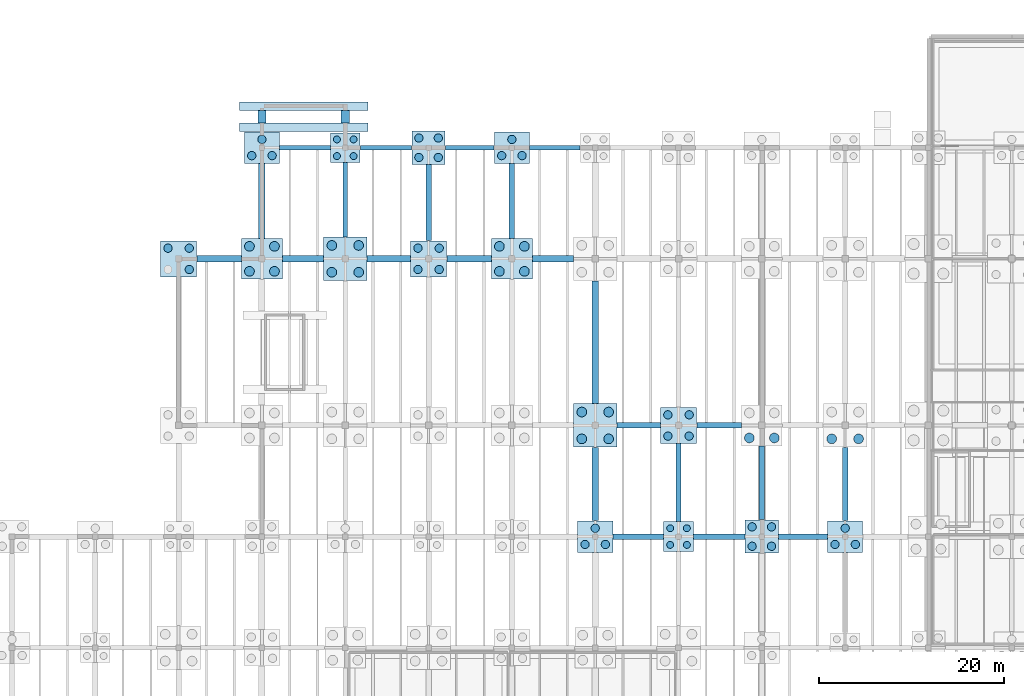
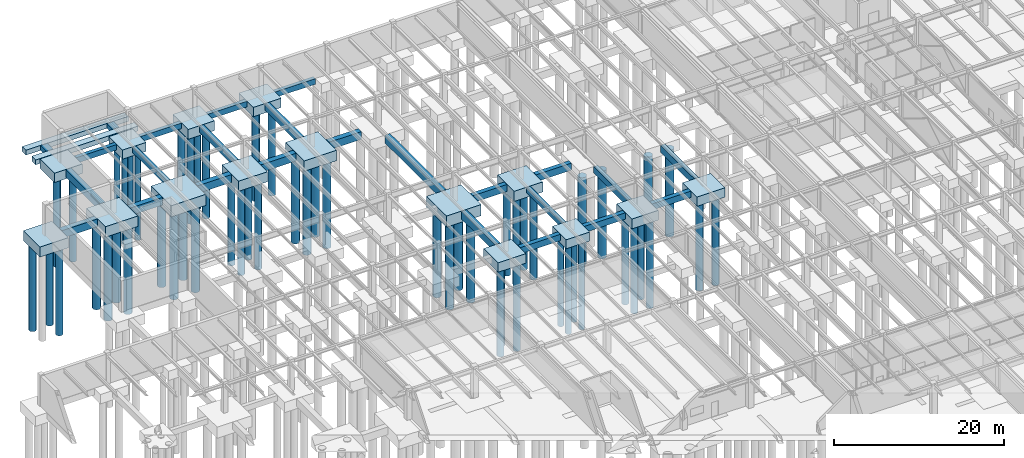
# One storey, part 7 of 40: 59 piles, 42 footings.
"""IFC4 building model written with IfcOpenShell, lengths in metres."""

from ifc_helpers import new_model, si_unit, direction, frame, origin, origin_2d, place, context, subcontext, project, spatial, polyline, rectangle, circle, outline, extrude, material, material_profile, profile_set, type_object, element, save


model = new_model("IFC4")

# Units and contexts
model_context = context("Model", 3, precision=1e-05, world=origin(), true_north=direction((0.0, 1.0)))
body_context = subcontext(model_context, "Body", "Model", "MODEL_VIEW")
ifc_project = project(units=[si_unit("LENGTHUNIT", "METRE"), si_unit("AREAUNIT", "SQUARE_METRE"), si_unit("VOLUMEUNIT", "CUBIC_METRE"), si_unit("PLANEANGLEUNIT", "RADIAN"), si_unit("MASSUNIT", "GRAM", prefix="KILO")], contexts=[model_context])

# Site, building, storey
site_placement = place(None, origin())
site = spatial("IfcSite", under=ifc_project, at=site_placement, CompositionType="ELEMENT")
building_placement = place(site_placement, origin())
building = spatial("IfcBuilding", under=site, at=building_placement, Name="Montelvaro Courts of Justice", CompositionType="ELEMENT")
storey_placement = place(building_placement, frame((0.0, 0.0, -4.5)))
storey = spatial("IfcBuildingStorey", under=building, at=storey_placement, Name="B01", CompositionType="ELEMENT", Elevation=-4.5)

# Piles
ifc_material = material(Name="Concrete C35/45", Category="concrete")
ifc_material_profile_1 = material_profile(ifc_material, circle(Radius=0.52490234375, at=origin_2d()), Name="BORED PILE D1050")
ifc_profile_set_1 = profile_set([ifc_material_profile_1], Name="Concrete C35/45")
pile_type_1 = type_object("IfcPileType", Name="BoredPile_1050", PredefinedType="BORED", material=ifc_profile_set_1)
for number, where, z_axis, x_axis, name in (
    (1, (25.64990234375, 94.64990234375, -1.39990234375), (0.0, 0.0, -1.0), (1.0, 0.0, 0.0), "Bored Pile BP-03 4/H-1"),
    (2, (28.35009765625, 94.64990234375, -1.39990234375), (0.0, 0.0, -1.0), (1.0, 0.0, 0.0), "Bored Pile BP-03 4/H-2"),
    (3, (25.64990234375, 97.35009765625, -1.39990234375), (0.0, 0.0, -1.0), (1.0, 0.0, 0.0), "Bored Pile BP-03 4/H-3"),
    (4, (28.35009765625, 97.35009765625, -1.39990234375), (0.0, 0.0, -1.0), (1.0, 0.0, 0.0), "Bored Pile BP-03 4/H-4"),
):
    element("IfcPile", number, at=place(storey_placement, frame(where, z_axis=z_axis, x_axis=x_axis)), inside=storey, type_object=pile_type_1, Name=name, PredefinedType="BORED", context=body_context, shape_type="SweptSolid", body=[
        extrude(circle(Radius=0.52490234375, at=origin_2d()), origin(), (0.0, 0.0, 1.0), 12.60009765625),
    ])
for number, where, z_axis, x_axis, name in (
    (5, (34.550048828125, 94.550048828125, -1.5), (0.0, 0.0, -1.0), (1.0, 0.0, 0.0), "Bored Pile BP-03 5/H-1"),
    (6, (37.449951171875, 94.550048828125, -1.5), (0.0, 0.0, -1.0), (1.0, 0.0, 0.0), "Bored Pile BP-03 5/H-2"),
    (7, (34.550048828125, 97.449951171875, -1.5), (0.0, 0.0, -1.0), (1.0, 0.0, 0.0), "Bored Pile BP-03 5/H-3"),
    (8, (37.449951171875, 97.449951171875, -1.5), (0.0, 0.0, -1.0), (1.0, 0.0, 0.0), "Bored Pile BP-03 5/H-4"),
):
    element("IfcPile", number, at=place(storey_placement, frame(where, z_axis=z_axis, x_axis=x_axis)), inside=storey, type_object=pile_type_1, Name=name, PredefinedType="BORED", context=body_context, shape_type="SweptSolid", body=[
        extrude(circle(Radius=0.52490234375, at=origin_2d()), origin(), (0.0, 0.0, 1.0), 12.5),
    ])
for number, where, z_axis, x_axis, name in (
    (9, (52.64990234375, 94.64990234375, -1.39990234375), (0.0, 0.0, -1.0), (1.0, 0.0, 0.0), "Bored Pile BP-03 7/H-1"),
    (10, (55.35009765625, 94.64990234375, -1.39990234375), (0.0, 0.0, -1.0), (1.0, 0.0, 0.0), "Bored Pile BP-03 7/H-2"),
    (11, (52.64990234375, 97.35009765625, -1.39990234375), (0.0, 0.0, -1.0), (1.0, 0.0, 0.0), "Bored Pile BP-03 7/H-3"),
    (12, (55.35009765625, 97.35009765625, -1.39990234375), (0.0, 0.0, -1.0), (1.0, 0.0, 0.0), "Bored Pile BP-03 7/H-4"),
):
    element("IfcPile", number, at=place(storey_placement, frame(where, z_axis=z_axis, x_axis=x_axis)), inside=storey, type_object=pile_type_1, Name=name, PredefinedType="BORED", context=body_context, shape_type="SweptSolid", body=[
        extrude(circle(Radius=0.52490234375, at=origin_2d()), origin(), (0.0, 0.0, 1.0), 12.60009765625),
    ])
for number, where, z_axis, x_axis, name in (
    (13, (61.550048828125, 76.550048828125, -1.5), (0.0, 0.0, -1.0), (1.0, 0.0, 0.0), "Bored Pile BP-03 8/G-1"),
    (14, (64.449951171875, 76.550048828125, -1.5), (0.0, 0.0, -1.0), (1.0, 0.0, 0.0), "Bored Pile BP-03 8/G-2"),
    (15, (61.550048828125, 79.449951171875, -1.5), (0.0, 0.0, -1.0), (1.0, 0.0, 0.0), "Bored Pile BP-03 8/G-3"),
    (16, (64.449951171875, 79.449951171875, -1.5), (0.0, 0.0, -1.0), (1.0, 0.0, 0.0), "Bored Pile BP-03 8/G-4"),
):
    element("IfcPile", number, at=place(storey_placement, frame(where, z_axis=z_axis, x_axis=x_axis)), inside=storey, type_object=pile_type_1, Name=name, PredefinedType="BORED", context=body_context, shape_type="SweptSolid", body=[
        extrude(circle(Radius=0.52490234375, at=origin_2d()), origin(), (0.0, 0.0, 1.0), 12.5),
    ])
for number, where, z_axis, x_axis, name in (
    (17, (79.64990234375, 76.64990234375, -1.39990234375), (0.0, 0.0, -1.0), (1.0, 0.0, 0.0), "Bored Pile BP-03 10/G-1"),
    (18, (82.35009765625, 76.64990234375, -1.39990234375), (0.0, 0.0, -1.0), (1.0, 0.0, 0.0), "Bored Pile BP-03 10/G-2"),
):
    element("IfcPile", number, at=place(storey_placement, frame(where, z_axis=z_axis, x_axis=x_axis)), inside=storey, type_object=pile_type_1, Name=name, PredefinedType="BORED", context=body_context, shape_type="SweptSolid", body=[
        extrude(circle(Radius=0.52490234375, at=origin_2d()), origin(), (0.0, 0.0, 1.0), 12.60009765625),
    ])
for number, where, z_axis, x_axis, name in (
    (19, (88.550048828125, 76.550048828125, -1.5), (0.0, 0.0, -1.0), (1.0, 0.0, 0.0), "Bored Pile BP-03 11/G-1"),
    (20, (91.449951171875, 76.550048828125, -1.5), (0.0, 0.0, -1.0), (1.0, 0.0, 0.0), "Bored Pile BP-03 11/G-2"),
):
    element("IfcPile", number, at=place(storey_placement, frame(where, z_axis=z_axis, x_axis=x_axis)), inside=storey, type_object=pile_type_1, Name=name, PredefinedType="BORED", context=body_context, shape_type="SweptSolid", body=[
        extrude(circle(Radius=0.52490234375, at=origin_2d()), origin(), (0.0, 0.0, 1.0), 12.5),
    ])
ifc_material_profile_2 = material_profile(ifc_material, circle(Radius=0.375, at=origin_2d()), Name="BORED PILE D750")
ifc_profile_set_2 = profile_set([ifc_material_profile_2], Name="Concrete C35/45")
pile_type_2 = type_object("IfcPileType", Name="BoredPile_750", PredefinedType="BORED", material=ifc_profile_set_2)
for number, where, z_axis, x_axis, name in (
    (21, (35.10009765625, 107.10009765625, -1.199951171875), (0.0, 0.0, -1.0), (1.0, 0.0, 0.0), "Bored Pile BP-01 5/I-1"),
    (22, (36.89990234375, 107.10009765625, -1.199951171875), (0.0, 0.0, -1.0), (1.0, 0.0, 0.0), "Bored Pile BP-01 5/I-2"),
    (23, (35.10009765625, 108.89990234375, -1.199951171875), (0.0, 0.0, -1.0), (1.0, 0.0, 0.0), "Bored Pile BP-01 5/I-3"),
    (24, (36.89990234375, 108.89990234375, -1.199951171875), (0.0, 0.0, -1.0), (1.0, 0.0, 0.0), "Bored Pile BP-01 5/I-4"),
    (25, (71.10009765625, 65.10009765625, -1.199951171875), (0.0, 0.0, -1.0), (1.0, 0.0, 0.0), "Bored Pile BP-01 9/F-1"),
    (26, (72.89990234375, 65.10009765625, -1.199951171875), (0.0, 0.0, -1.0), (1.0, 0.0, 0.0), "Bored Pile BP-01 9/F-2"),
    (27, (71.10009765625, 66.89990234375, -1.199951171875), (0.0, 0.0, -1.0), (1.0, 0.0, 0.0), "Bored Pile BP-01 9/F-3"),
    (28, (72.89990234375, 66.89990234375, -1.199951171875), (0.0, 0.0, -1.0), (1.0, 0.0, 0.0), "Bored Pile BP-01 9/F-4"),
):
    element("IfcPile", number, at=place(storey_placement, frame(where, z_axis=z_axis, x_axis=x_axis)), inside=storey, type_object=pile_type_2, Name=name, PredefinedType="BORED", context=body_context, shape_type="SweptSolid", body=[
        extrude(circle(Radius=0.375, at=origin_2d()), origin(), (0.0, 0.0, 1.0), 12.800048828125),
    ])
ifc_material_profile_3 = material_profile(ifc_material, circle(Radius=0.449951171875, at=origin_2d()), Name="BORED PILE D900")
ifc_profile_set_3 = profile_set([ifc_material_profile_3], Name="Concrete C35/45")
pile_type_3 = type_object("IfcPileType", Name="BoredPile_900", PredefinedType="BORED", material=ifc_profile_set_3)
for number, where, z_axis, x_axis, name in (
    (29, (19.14990234375, 94.85009765625, -1.35009765625), (0.0, 0.0, -1.0), (1.0, 0.0, 0.0), "Bored Pile BP-02 3/H-2"),
    (30, (16.85009765625, 97.14990234375, -1.35009765625), (0.0, 0.0, -1.0), (1.0, 0.0, 0.0), "Bored Pile BP-02 3/H-3"),
    (31, (19.14990234375, 97.14990234375, -1.35009765625), (0.0, 0.0, -1.0), (1.0, 0.0, 0.0), "Bored Pile BP-02 3/H-4"),
):
    element("IfcPile", number, at=place(storey_placement, frame(where, z_axis=z_axis, x_axis=x_axis)), inside=storey, type_object=pile_type_3, Name=name, PredefinedType="BORED", context=body_context, shape_type="SweptSolid", body=[
        extrude(circle(Radius=0.449951171875, at=origin_2d()), origin(), (0.0, 0.0, 1.0), 12.64990234375),
    ])
for number, where, z_axis, x_axis, name in (
    (32, (25.89990234375, 107.14990234375, -1.25), (0.0, 0.0, -1.0), (1.0, 0.0, 0.0), "Bored Pile BP-02 4/I-1"),
    (33, (28.10009765625, 107.14990234375, -1.25), (0.0, 0.0, -1.0), (1.0, 0.0, 0.0), "Bored Pile BP-02 4/I-2"),
    (34, (27.0, 108.89990234375, -1.25), (0.0, 0.0, -1.0), (1.0, 0.0, 0.0), "Bored Pile BP-02 4/I-3"),
):
    element("IfcPile", number, at=place(storey_placement, frame(where, z_axis=z_axis, x_axis=x_axis)), inside=storey, type_object=pile_type_3, Name=name, PredefinedType="BORED", context=body_context, shape_type="SweptSolid", body=[
        extrude(circle(Radius=0.449951171875, at=origin_2d()), origin(), (0.0, 0.0, 1.0), 12.75),
    ])
for number, where, z_axis, x_axis, name in (
    (35, (43.85009765625, 94.85009765625, -1.35009765625), (0.0, 0.0, -1.0), (1.0, 0.0, 0.0), "Bored Pile BP-02 6/H-1"),
    (36, (46.14990234375, 94.85009765625, -1.35009765625), (0.0, 0.0, -1.0), (1.0, 0.0, 0.0), "Bored Pile BP-02 6/H-2"),
    (37, (43.85009765625, 97.14990234375, -1.35009765625), (0.0, 0.0, -1.0), (1.0, 0.0, 0.0), "Bored Pile BP-02 6/H-3"),
    (38, (46.14990234375, 97.14990234375, -1.35009765625), (0.0, 0.0, -1.0), (1.0, 0.0, 0.0), "Bored Pile BP-02 6/H-4"),
):
    element("IfcPile", number, at=place(storey_placement, frame(where, z_axis=z_axis, x_axis=x_axis)), inside=storey, type_object=pile_type_3, Name=name, PredefinedType="BORED", context=body_context, shape_type="SweptSolid", body=[
        extrude(circle(Radius=0.449951171875, at=origin_2d()), origin(), (0.0, 0.0, 1.0), 12.64990234375),
    ])
for number, where, z_axis, x_axis, name in (
    (39, (43.949951171875, 106.949951171875, -1.300048828125), (0.0, 0.0, -1.0), (1.0, 0.0, 0.0), "Bored Pile BP-02 6/I-1"),
    (40, (46.050048828125, 106.949951171875, -1.300048828125), (0.0, 0.0, -1.0), (1.0, 0.0, 0.0), "Bored Pile BP-02 6/I-2"),
    (41, (43.949951171875, 109.050048828125, -1.300048828125), (0.0, 0.0, -1.0), (1.0, 0.0, 0.0), "Bored Pile BP-02 6/I-3"),
    (42, (46.050048828125, 109.050048828125, -1.300048828125), (0.0, 0.0, -1.0), (1.0, 0.0, 0.0), "Bored Pile BP-02 6/I-4"),
):
    element("IfcPile", number, at=place(storey_placement, frame(where, z_axis=z_axis, x_axis=x_axis)), inside=storey, type_object=pile_type_3, Name=name, PredefinedType="BORED", context=body_context, shape_type="SweptSolid", body=[
        extrude(circle(Radius=0.449951171875, at=origin_2d()), origin(), (0.0, 0.0, 1.0), 12.699951171875),
    ])
for number, where, z_axis, x_axis, name in (
    (43, (52.89990234375, 107.14990234375, -1.25), (0.0, 0.0, -1.0), (1.0, 0.0, 0.0), "Bored Pile BP-02 7/I-1"),
    (44, (55.10009765625, 107.14990234375, -1.25), (0.0, 0.0, -1.0), (1.0, 0.0, 0.0), "Bored Pile BP-02 7/I-2"),
    (45, (54.0, 108.89990234375, -1.25), (0.0, 0.0, -1.0), (1.0, 0.0, 0.0), "Bored Pile BP-02 7/I-3"),
    (46, (61.89990234375, 65.14990234375, -1.25), (0.0, 0.0, -1.0), (1.0, 0.0, 0.0), "Bored Pile BP-02 8/F-1"),
    (47, (64.10009765625, 65.14990234375, -1.25), (0.0, 0.0, -1.0), (1.0, 0.0, 0.0), "Bored Pile BP-02 8/F-2"),
    (48, (63.0, 66.89990234375, -1.25), (0.0, 0.0, -1.0), (1.0, 0.0, 0.0), "Bored Pile BP-02 8/F-3"),
):
    element("IfcPile", number, at=place(storey_placement, frame(where, z_axis=z_axis, x_axis=x_axis)), inside=storey, type_object=pile_type_3, Name=name, PredefinedType="BORED", context=body_context, shape_type="SweptSolid", body=[
        extrude(circle(Radius=0.449951171875, at=origin_2d()), origin(), (0.0, 0.0, 1.0), 12.75),
    ])
for number, where, z_axis, x_axis, name in (
    (49, (70.85009765625, 76.85009765625, -1.35009765625), (0.0, 0.0, -1.0), (1.0, 0.0, 0.0), "Bored Pile BP-02 9/G-1"),
    (50, (73.14990234375, 76.85009765625, -1.35009765625), (0.0, 0.0, -1.0), (1.0, 0.0, 0.0), "Bored Pile BP-02 9/G-2"),
    (51, (70.85009765625, 79.14990234375, -1.35009765625), (0.0, 0.0, -1.0), (1.0, 0.0, 0.0), "Bored Pile BP-02 9/G-3"),
    (52, (73.14990234375, 79.14990234375, -1.35009765625), (0.0, 0.0, -1.0), (1.0, 0.0, 0.0), "Bored Pile BP-02 9/G-4"),
):
    element("IfcPile", number, at=place(storey_placement, frame(where, z_axis=z_axis, x_axis=x_axis)), inside=storey, type_object=pile_type_3, Name=name, PredefinedType="BORED", context=body_context, shape_type="SweptSolid", body=[
        extrude(circle(Radius=0.449951171875, at=origin_2d()), origin(), (0.0, 0.0, 1.0), 12.64990234375),
    ])
for number, where, z_axis, x_axis, name in (
    (53, (79.949951171875, 64.949951171875, -1.300048828125), (0.0, 0.0, -1.0), (1.0, 0.0, 0.0), "Bored Pile BP-02 10/F-1"),
    (54, (82.050048828125, 64.949951171875, -1.300048828125), (0.0, 0.0, -1.0), (1.0, 0.0, 0.0), "Bored Pile BP-02 10/F-2"),
    (55, (79.949951171875, 67.050048828125, -1.300048828125), (0.0, 0.0, -1.0), (1.0, 0.0, 0.0), "Bored Pile BP-02 10/F-3"),
    (56, (82.050048828125, 67.050048828125, -1.300048828125), (0.0, 0.0, -1.0), (1.0, 0.0, 0.0), "Bored Pile BP-02 10/F-4"),
):
    element("IfcPile", number, at=place(storey_placement, frame(where, z_axis=z_axis, x_axis=x_axis)), inside=storey, type_object=pile_type_3, Name=name, PredefinedType="BORED", context=body_context, shape_type="SweptSolid", body=[
        extrude(circle(Radius=0.449951171875, at=origin_2d()), origin(), (0.0, 0.0, 1.0), 12.699951171875),
    ])
for number, where, z_axis, x_axis, name in (
    (57, (88.89990234375, 65.14990234375, -1.25), (0.0, 0.0, -1.0), (1.0, 0.0, 0.0), "Bored Pile BP-02 11/F-1"),
    (58, (91.10009765625, 65.14990234375, -1.25), (0.0, 0.0, -1.0), (1.0, 0.0, 0.0), "Bored Pile BP-02 11/F-2"),
    (59, (90.0, 66.89990234375, -1.25), (0.0, 0.0, -1.0), (1.0, 0.0, 0.0), "Bored Pile BP-02 11/F-3"),
):
    element("IfcPile", number, at=place(storey_placement, frame(where, z_axis=z_axis, x_axis=x_axis)), inside=storey, type_object=pile_type_3, Name=name, PredefinedType="BORED", context=body_context, shape_type="SweptSolid", body=[
        extrude(circle(Radius=0.449951171875, at=origin_2d()), origin(), (0.0, 0.0, 1.0), 12.75),
    ])

# Footings
footing_type_1 = type_object("IfcFootingType", Name="GroundBeam_500x800", PredefinedType="FOOTING_BEAM", material=ifc_material)
footing_1_placement = place(storey_placement, frame((0.0, 0.0, -0.800048828125)))
element("IfcFooting", 60, at=footing_1_placement, inside=storey, type_object=footing_type_1, Name="Foundation Ground Beam GB-01", PredefinedType="FOOTING_BEAM", context=body_context, shape_type="SweptSolid", body=[
    extrude(outline(polyline([(28.919921875, 107.75), (34.3798828125, 107.75), (34.3798828125, 108.25), (28.919921875, 108.25), (28.919921875, 107.75)])), origin(), (0.0, 0.0, 1.0), 0.800048828125),
])
footing_2_placement = place(storey_placement, frame((0.0, 0.0, -0.800048828125)))
element("IfcFooting", 61, at=footing_2_placement, inside=storey, type_object=footing_type_1, Name="Foundation Ground Beam GB-01", PredefinedType="FOOTING_BEAM", context=body_context, shape_type="SweptSolid", body=[
    extrude(outline(polyline([(37.6201171875, 107.75), (43.179931640625, 107.75), (43.179931640625, 108.25), (37.6201171875, 108.25), (37.6201171875, 107.75)])), origin(), (0.0, 0.0, 1.0), 0.800048828125),
])
footing_3_placement = place(storey_placement, frame((0.0, 0.0, -0.800048828125)))
element("IfcFooting", 62, at=footing_3_placement, inside=storey, type_object=footing_type_1, Name="Foundation Ground Beam GB-01", PredefinedType="FOOTING_BEAM", context=body_context, shape_type="SweptSolid", body=[
    extrude(outline(polyline([(46.820068359375, 107.75), (52.080078125, 107.75), (52.080078125, 108.25), (46.820068359375, 108.25), (46.820068359375, 107.75)])), origin(), (0.0, 0.0, 1.0), 0.800048828125),
])
footing_4_placement = place(storey_placement, frame((0.0, 0.0, -0.800048828125)))
element("IfcFooting", 63, at=footing_4_placement, inside=storey, type_object=footing_type_1, Name="Foundation Ground Beam GB-01", PredefinedType="FOOTING_BEAM", context=body_context, shape_type="SweptSolid", body=[
    extrude(outline(polyline([(55.919921875, 107.75), (61.3798828125, 107.75), (61.3798828125, 108.25), (55.919921875, 108.25), (55.919921875, 107.75)])), origin(), (0.0, 0.0, 1.0), 0.800048828125),
])
footing_5_placement = place(storey_placement, frame((0.0, 0.0, -0.800048828125)))
element("IfcFooting", 64, at=footing_5_placement, inside=storey, type_object=footing_type_1, Name="Foundation Ground Beam GB-01", PredefinedType="FOOTING_BEAM", context=body_context, shape_type="SweptSolid", body=[
    extrude(outline(polyline([(35.75, 98.3701171875), (36.25, 98.3701171875), (36.25, 106.3798828125), (35.75, 106.3798828125), (35.75, 98.3701171875)])), origin(), (0.0, 0.0, 1.0), 0.800048828125),
])
footing_6_placement = place(storey_placement, frame((0.0, 0.0, -0.800048828125)))
element("IfcFooting", 65, at=footing_6_placement, inside=storey, type_object=footing_type_1, Name="Foundation Ground Beam GB-01", PredefinedType="FOOTING_BEAM", context=body_context, shape_type="SweptSolid", body=[
    extrude(outline(polyline([(71.75, 67.6201171875), (72.25, 67.6201171875), (72.25, 76.030029296875), (71.75, 76.030029296875), (71.75, 67.6201171875)])), origin(), (0.0, 0.0, 1.0), 0.800048828125),
])
footing_type_2 = type_object("IfcFootingType", Name="GroundBeam_600x1000", PredefinedType="FOOTING_BEAM", material=ifc_material)
footing_7_placement = place(storey_placement, frame((0.0, 0.0, -1.0)))
element("IfcFooting", 66, at=footing_7_placement, inside=storey, type_object=footing_type_2, Name="Foundation Ground Beam GB-03", PredefinedType="FOOTING_BEAM", context=body_context, shape_type="SweptSolid", body=[
    extrude(outline(polyline([(65.3701171875, 77.699951171875), (70.030029296875, 77.699951171875), (70.030029296875, 78.300048828125), (65.3701171875, 78.300048828125), (65.3701171875, 77.699951171875)])), origin(), (0.0, 0.0, 1.0), 1.0),
])
footing_8_placement = place(storey_placement, frame((0.0, 0.0, -1.0)))
element("IfcFooting", 67, at=footing_8_placement, inside=storey, type_object=footing_type_2, Name="Foundation Ground Beam GB-03", PredefinedType="FOOTING_BEAM", context=body_context, shape_type="SweptSolid", body=[
    extrude(outline(polyline([(73.969970703125, 77.699951171875), (78.780029296875, 77.699951171875), (78.780029296875, 78.300048828125), (73.969970703125, 78.300048828125), (73.969970703125, 77.699951171875)])), origin(), (0.0, 0.0, 1.0), 1.0),
])
footing_9_placement = place(storey_placement, frame((0.0, 0.0, -1.0)))
element("IfcFooting", 68, at=footing_9_placement, inside=storey, type_object=footing_type_2, Name="Foundation Ground Beam GB-03", PredefinedType="FOOTING_BEAM", context=body_context, shape_type="SweptSolid", body=[
    extrude(outline(polyline([(53.699951171875, 98.219970703125), (54.300048828125, 98.219970703125), (54.300048828125, 106.280029296875), (53.699951171875, 106.280029296875), (53.699951171875, 98.219970703125)])), origin(), (0.0, 0.0, 1.0), 1.0),
])
footing_10_placement = place(storey_placement, frame((0.0, 0.0, -1.0)))
element("IfcFooting", 69, at=footing_10_placement, inside=storey, type_object=footing_type_2, Name="Foundation Ground Beam GB-03", PredefinedType="FOOTING_BEAM", context=body_context, shape_type="SweptSolid", body=[
    extrude(outline(polyline([(89.699951171875, 67.719970703125), (90.300048828125, 67.719970703125), (90.300048828125, 75.6298828125), (89.699951171875, 75.6298828125), (89.699951171875, 67.719970703125)])), origin(), (0.0, 0.0, 1.0), 1.0),
])
footing_type_3 = type_object("IfcFootingType", Name="GroundBeam_600x900", PredefinedType="FOOTING_BEAM", material=ifc_material)
footing_11_placement = place(storey_placement, frame((0.0, 0.0, -0.89990234375)))
element("IfcFooting", 70, at=footing_11_placement, inside=storey, type_object=footing_type_3, Name="Foundation Ground Beam GB-02", PredefinedType="FOOTING_BEAM", context=body_context, shape_type="SweptSolid", body=[
    extrude(outline(polyline([(64.919921875, 65.699951171875), (70.3798828125, 65.699951171875), (70.3798828125, 66.300048828125), (64.919921875, 66.300048828125), (64.919921875, 65.699951171875)])), origin(), (0.0, 0.0, 1.0), 0.89990234375),
])
footing_12_placement = place(storey_placement, frame((0.0, 0.0, -0.89990234375)))
element("IfcFooting", 71, at=footing_12_placement, inside=storey, type_object=footing_type_3, Name="Foundation Ground Beam GB-02", PredefinedType="FOOTING_BEAM", context=body_context, shape_type="SweptSolid", body=[
    extrude(outline(polyline([(73.6201171875, 65.699951171875), (79.179931640625, 65.699951171875), (79.179931640625, 66.300048828125), (73.6201171875, 66.300048828125), (73.6201171875, 65.699951171875)])), origin(), (0.0, 0.0, 1.0), 0.89990234375),
])
footing_13_placement = place(storey_placement, frame((0.0, 0.0, -0.89990234375)))
element("IfcFooting", 72, at=footing_13_placement, inside=storey, type_object=footing_type_3, Name="Foundation Ground Beam GB-02", PredefinedType="FOOTING_BEAM", context=body_context, shape_type="SweptSolid", body=[
    extrude(outline(polyline([(82.820068359375, 65.699951171875), (88.080078125, 65.699951171875), (88.080078125, 66.300048828125), (82.820068359375, 66.300048828125), (82.820068359375, 65.699951171875)])), origin(), (0.0, 0.0, 1.0), 0.89990234375),
])
footing_14_placement = place(storey_placement, frame((0.0, 0.0, -0.89990234375)))
element("IfcFooting", 73, at=footing_14_placement, inside=storey, type_object=footing_type_3, Name="Foundation Ground Beam GB-02", PredefinedType="FOOTING_BEAM", context=body_context, shape_type="SweptSolid", body=[
    extrude(outline(polyline([(44.699951171875, 97.969970703125), (45.300048828125, 97.969970703125), (45.300048828125, 106.179931640625), (44.699951171875, 106.179931640625), (44.699951171875, 97.969970703125)])), origin(), (0.0, 0.0, 1.0), 0.89990234375),
])
footing_15_placement = place(storey_placement, frame((0.0, 0.0, -0.89990234375)))
element("IfcFooting", 74, at=footing_15_placement, inside=storey, type_object=footing_type_3, Name="Foundation Ground Beam GB-02", PredefinedType="FOOTING_BEAM", context=body_context, shape_type="SweptSolid", body=[
    extrude(outline(polyline([(80.699951171875, 67.820068359375), (81.300048828125, 67.820068359375), (81.300048828125, 75.780029296875), (80.699951171875, 75.780029296875), (80.699951171875, 67.820068359375)])), origin(), (0.0, 0.0, 1.0), 0.89990234375),
])
footing_type_4 = type_object("IfcFootingType", Name="GroundBeam_700x1100", PredefinedType="FOOTING_BEAM", material=ifc_material)
footing_16_placement = place(storey_placement, frame((0.0, 0.0, -1.10009765625)))
element("IfcFooting", 75, at=footing_16_placement, inside=storey, type_object=footing_type_4, Name="Foundation Ground Beam GB-04", PredefinedType="FOOTING_BEAM", context=body_context, shape_type="SweptSolid", body=[
    extrude(outline(polyline([(19.969970703125, 95.64990234375), (24.780029296875, 95.64990234375), (24.780029296875, 96.35009765625), (19.969970703125, 96.35009765625), (19.969970703125, 95.64990234375)])), origin(), (0.0, 0.0, 1.0), 1.10009765625),
])
footing_17_placement = place(storey_placement, frame((0.0, 0.0, -1.10009765625)))
element("IfcFooting", 76, at=footing_17_placement, inside=storey, type_object=footing_type_4, Name="Foundation Ground Beam GB-04", PredefinedType="FOOTING_BEAM", context=body_context, shape_type="SweptSolid", body=[
    extrude(outline(polyline([(29.219970703125, 95.64990234375), (33.6298828125, 95.64990234375), (33.6298828125, 96.35009765625), (29.219970703125, 96.35009765625), (29.219970703125, 95.64990234375)])), origin(), (0.0, 0.0, 1.0), 1.10009765625),
])
footing_18_placement = place(storey_placement, frame((0.0, 0.0, -1.10009765625)))
element("IfcFooting", 77, at=footing_18_placement, inside=storey, type_object=footing_type_4, Name="Foundation Ground Beam GB-04", PredefinedType="FOOTING_BEAM", context=body_context, shape_type="SweptSolid", body=[
    extrude(outline(polyline([(38.3701171875, 95.64990234375), (43.030029296875, 95.64990234375), (43.030029296875, 96.35009765625), (38.3701171875, 96.35009765625), (38.3701171875, 95.64990234375)])), origin(), (0.0, 0.0, 1.0), 1.10009765625),
])
footing_19_placement = place(storey_placement, frame((0.0, 0.0, -1.10009765625)))
element("IfcFooting", 78, at=footing_19_placement, inside=storey, type_object=footing_type_4, Name="Foundation Ground Beam GB-04", PredefinedType="FOOTING_BEAM", context=body_context, shape_type="SweptSolid", body=[
    extrude(outline(polyline([(46.969970703125, 95.64990234375), (51.780029296875, 95.64990234375), (51.780029296875, 96.35009765625), (46.969970703125, 96.35009765625), (46.969970703125, 95.64990234375)])), origin(), (0.0, 0.0, 1.0), 1.10009765625),
])
footing_20_placement = place(storey_placement, frame((0.0, 0.0, -1.10009765625)))
element("IfcFooting", 79, at=footing_20_placement, inside=storey, type_object=footing_type_4, Name="Foundation Ground Beam GB-04", PredefinedType="FOOTING_BEAM", context=body_context, shape_type="SweptSolid", body=[
    extrude(outline(polyline([(56.219970703125, 95.64990234375), (60.6298828125, 95.64990234375), (60.6298828125, 96.35009765625), (56.219970703125, 96.35009765625), (56.219970703125, 95.64990234375)])), origin(), (0.0, 0.0, 1.0), 1.10009765625),
])
footing_21_placement = place(storey_placement, frame((0.0, 0.0, -1.10009765625)))
element("IfcFooting", 80, at=footing_21_placement, inside=storey, type_object=footing_type_4, Name="Foundation Ground Beam GB-04", PredefinedType="FOOTING_BEAM", context=body_context, shape_type="SweptSolid", body=[
    extrude(outline(polyline([(26.64990234375, 98.219970703125), (27.35009765625, 98.219970703125), (27.35009765625, 106.280029296875), (26.64990234375, 106.280029296875), (26.64990234375, 98.219970703125)])), origin(), (0.0, 0.0, 1.0), 1.10009765625),
])
footing_22_placement = place(storey_placement, frame((0.0, 0.0, -1.10009765625)))
element("IfcFooting", 81, at=footing_22_placement, inside=storey, type_object=footing_type_4, Name="Foundation Ground Beam GB-04", PredefinedType="FOOTING_BEAM", context=body_context, shape_type="SweptSolid", body=[
    extrude(outline(polyline([(62.64990234375, 67.719970703125), (63.35009765625, 67.719970703125), (63.35009765625, 75.6298828125), (62.64990234375, 75.6298828125), (62.64990234375, 67.719970703125)])), origin(), (0.0, 0.0, 1.0), 1.10009765625),
])
footing_23_placement = place(storey_placement, frame((0.0, 0.0, -1.10009765625)))
element("IfcFooting", 82, at=footing_23_placement, inside=storey, type_object=footing_type_4, Name="Foundation Ground Beam GB-04", PredefinedType="FOOTING_BEAM", context=body_context, shape_type="SweptSolid", body=[
    extrude(outline(polyline([(62.64990234375, 80.3701171875), (63.35009765625, 80.3701171875), (63.35009765625, 93.6298828125), (62.64990234375, 93.6298828125), (62.64990234375, 80.3701171875)])), origin(), (0.0, 0.0, 1.0), 1.10009765625),
])
footing_type_5 = type_object("IfcFootingType", Name="PileCap_3P_380x340x135", PredefinedType="PILE_CAP", material=ifc_material)
for number, where, z_axis, x_axis, name in (
    (83, (27.0, 108.0, -1.35009765625), (0.0, 0.0, 1.0), (1.0, 0.0, 0.0), "Pile Cap PC-07 at 4/I"),
    (84, (54.0, 108.0, -1.35009765625), (0.0, 0.0, 1.0), (1.0, 0.0, 0.0), "Pile Cap PC-07 at 7/I"),
    (85, (63.0, 66.0, -1.35009765625), (0.0, 0.0, 1.0), (1.0, 0.0, 0.0), "Pile Cap PC-07 at 8/F"),
    (86, (90.0, 66.0, -1.35009765625), (0.0, 0.0, 1.0), (1.0, 0.0, 0.0), "Pile Cap PC-07 at 11/F"),
):
    element("IfcFooting", number, at=place(storey_placement, frame(where, z_axis=z_axis, x_axis=x_axis)), inside=storey, type_object=footing_type_5, Name=name, PredefinedType="PILE_CAP", context=body_context, shape_type="SweptSolid", body=[
        extrude(rectangle(XDim=3.800048828125, YDim=3.39990234375, at=origin_2d()), origin(), (0.0, 0.0, 1.0), 1.35009765625),
    ])
footing_type_6 = type_object("IfcFootingType", Name="PileCap_4P_320x320x130", PredefinedType="PILE_CAP", material=ifc_material)
for number, where, z_axis, x_axis, name in (
    (87, (36.0, 108.0, -1.2998046875), (0.0, 0.0, 1.0), (1.0, 0.0, 0.0), "Pile Cap PC-08 at 5/I"),
    (88, (72.0, 66.0, -1.2998046875), (0.0, 0.0, 1.0), (1.0, 0.0, 0.0), "Pile Cap PC-08 at 9/F"),
):
    element("IfcFooting", number, at=place(storey_placement, frame(where, z_axis=z_axis, x_axis=x_axis)), inside=storey, type_object=footing_type_6, Name=name, PredefinedType="PILE_CAP", context=body_context, shape_type="SweptSolid", body=[
        extrude(rectangle(XDim=3.199951171875, YDim=3.199951171875, at=origin_2d()), origin(), (0.0, 0.0, 1.0), 1.300048828125),
    ])
footing_type_7 = type_object("IfcFootingType", Name="PileCap_4P_360x360x140", PredefinedType="PILE_CAP", material=ifc_material)
for number, where, z_axis, x_axis, name in (
    (89, (45.0, 108.0, -1.39990234375), (0.0, 0.0, 1.0), (1.0, 0.0, 0.0), "Pile Cap PC-09 at 6/I"),
    (90, (81.0, 66.0, -1.39990234375), (0.0, 0.0, 1.0), (1.0, 0.0, 0.0), "Pile Cap PC-09 at 10/F"),
):
    element("IfcFooting", number, at=place(storey_placement, frame(where, z_axis=z_axis, x_axis=x_axis)), inside=storey, type_object=footing_type_7, Name=name, PredefinedType="PILE_CAP", context=body_context, shape_type="SweptSolid", body=[
        extrude(rectangle(XDim=3.60009765625, YDim=3.60009765625, at=origin_2d()), origin(), (0.0, 0.0, 1.0), 1.39990234375),
    ])
footing_type_8 = type_object("IfcFootingType", Name="PileCap_4P_390x390x145", PredefinedType="PILE_CAP", material=ifc_material)
for number, where, z_axis, x_axis, name in (
    (91, (18.0, 96.0, -1.4501953125), (0.0, 0.0, 1.0), (1.0, 0.0, 0.0), "Pile Cap PC-10 at 3/H"),
    (92, (45.0, 96.0, -1.4501953125), (0.0, 0.0, 1.0), (1.0, 0.0, 0.0), "Pile Cap PC-10 at 6/H"),
    (93, (72.0, 78.0, -1.4501953125), (0.0, 0.0, 1.0), (1.0, 0.0, 0.0), "Pile Cap PC-10 at 9/G"),
):
    element("IfcFooting", number, at=place(storey_placement, frame(where, z_axis=z_axis, x_axis=x_axis)), inside=storey, type_object=footing_type_8, Name=name, PredefinedType="PILE_CAP", context=body_context, shape_type="SweptSolid", body=[
        extrude(rectangle(XDim=3.89990234375, YDim=3.89990234375, at=origin_2d()), origin(), (0.0, 0.0, 1.0), 1.449951171875),
    ])
footing_type_9 = type_object("IfcFootingType", Name="PileCap_4P_440x440x150", PredefinedType="PILE_CAP", material=ifc_material)
for number, where, z_axis, x_axis, name in (
    (94, (27.0, 96.0, -1.5), (0.0, 0.0, 1.0), (1.0, 0.0, 0.0), "Pile Cap PC-11 at 4/H"),
    (95, (54.0, 96.0, -1.5), (0.0, 0.0, 1.0), (1.0, 0.0, 0.0), "Pile Cap PC-11 at 7/H"),
):
    element("IfcFooting", number, at=place(storey_placement, frame(where, z_axis=z_axis, x_axis=x_axis)), inside=storey, type_object=footing_type_9, Name=name, PredefinedType="PILE_CAP", context=body_context, shape_type="SweptSolid", body=[
        extrude(rectangle(XDim=4.39990234375, YDim=4.39990234375, at=origin_2d()), origin(), (0.0, 0.0, 1.0), 1.5),
    ])
footing_type_10 = type_object("IfcFootingType", Name="PileCap_4P_470x470x160", PredefinedType="PILE_CAP", material=ifc_material)
for number, where, z_axis, x_axis, name in (
    (96, (36.0, 96.0, -1.60009765625), (0.0, 0.0, 1.0), (1.0, 0.0, 0.0), "Pile Cap PC-12 at 5/H"),
    (97, (63.0, 78.0, -1.60009765625), (0.0, 0.0, 1.0), (1.0, 0.0, 0.0), "Pile Cap PC-12 at 8/G"),
):
    element("IfcFooting", number, at=place(storey_placement, frame(where, z_axis=z_axis, x_axis=x_axis)), inside=storey, type_object=footing_type_10, Name=name, PredefinedType="PILE_CAP", context=body_context, shape_type="SweptSolid", body=[
        extrude(rectangle(XDim=4.699951171875, YDim=4.699951171875, at=origin_2d()), origin(), (0.0, 0.0, 1.0), 1.60009765625),
    ])
footing_type_11 = type_object("IfcFootingType", Name="StripFooting_900x700", PredefinedType="STRIP_FOOTING", material=ifc_material)
footing_24_placement = place(storey_placement, frame((0.0, 0.0, -0.699951171875)))
element("IfcFooting", 98, at=footing_24_placement, inside=storey, type_object=footing_type_11, Name="Stair and Plinth Strip Footing SFG-01-33", PredefinedType="STRIP_FOOTING", context=body_context, shape_type="SweptSolid", body=[
    extrude(outline(polyline([(24.550048828125, 109.760009765625), (38.449951171875, 109.760009765625), (38.449951171875, 110.659912109375), (24.550048828125, 110.659912109375), (24.550048828125, 109.760009765625)])), origin(), (0.0, 0.0, 1.0), 0.699951171875),
])
footing_25_placement = place(storey_placement, frame((0.0, 0.0, -0.699951171875)))
element("IfcFooting", 99, at=footing_25_placement, inside=storey, type_object=footing_type_11, Name="Stair and Plinth Strip Footing SFG-01-34", PredefinedType="STRIP_FOOTING", context=body_context, shape_type="SweptSolid", body=[
    extrude(outline(polyline([(24.550048828125, 112.050048828125), (38.449951171875, 112.050048828125), (38.449951171875, 112.949951171875), (24.550048828125, 112.949951171875), (24.550048828125, 112.050048828125)])), origin(), (0.0, 0.0, 1.0), 0.699951171875),
])
footing_26_placement = place(storey_placement, frame((0.0, 0.0, -0.699951171875)))
element("IfcFooting", 100, at=footing_26_placement, inside=storey, type_object=footing_type_11, Name="Stair and Plinth Strip Footing SFG-01-35", PredefinedType="STRIP_FOOTING", context=body_context, shape_type="SweptSolid", body=[
    extrude(outline(polyline([(26.550048828125, 110.679931640625), (27.449951171875, 110.679931640625), (27.449951171875, 112.030029296875), (26.550048828125, 112.030029296875), (26.550048828125, 110.679931640625)])), origin(), (0.0, 0.0, 1.0), 0.699951171875),
])
footing_27_placement = place(storey_placement, frame((0.0, 0.0, -0.699951171875)))
element("IfcFooting", 101, at=footing_27_placement, inside=storey, type_object=footing_type_11, Name="Stair and Plinth Strip Footing SFG-01-36", PredefinedType="STRIP_FOOTING", context=body_context, shape_type="SweptSolid", body=[
    extrude(outline(polyline([(35.550048828125, 110.679931640625), (36.449951171875, 110.679931640625), (36.449951171875, 112.030029296875), (35.550048828125, 112.030029296875), (35.550048828125, 110.679931640625)])), origin(), (0.0, 0.0, 1.0), 0.699951171875),
])

save(model, "model.ifc")
